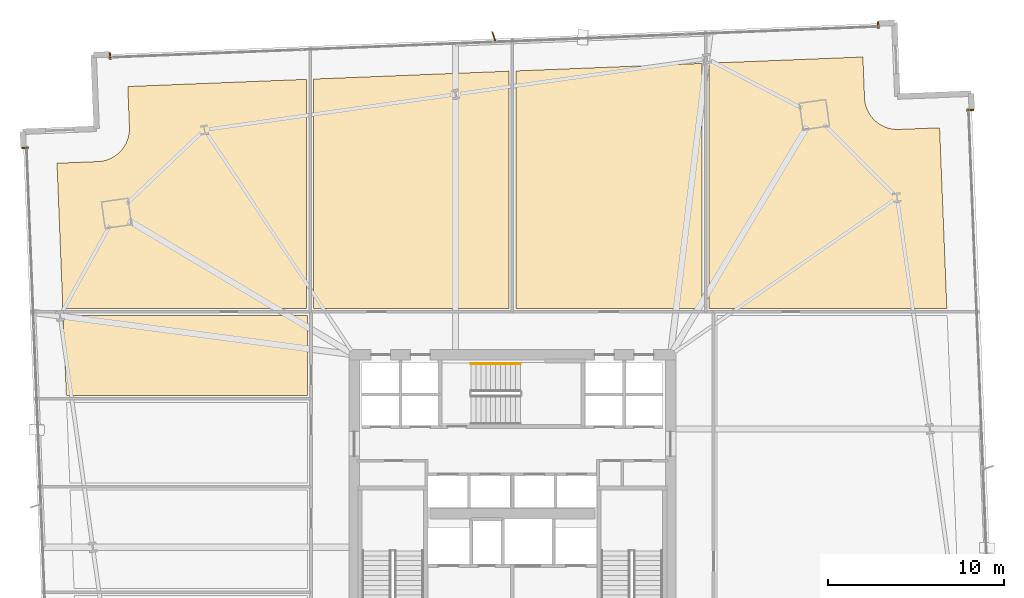
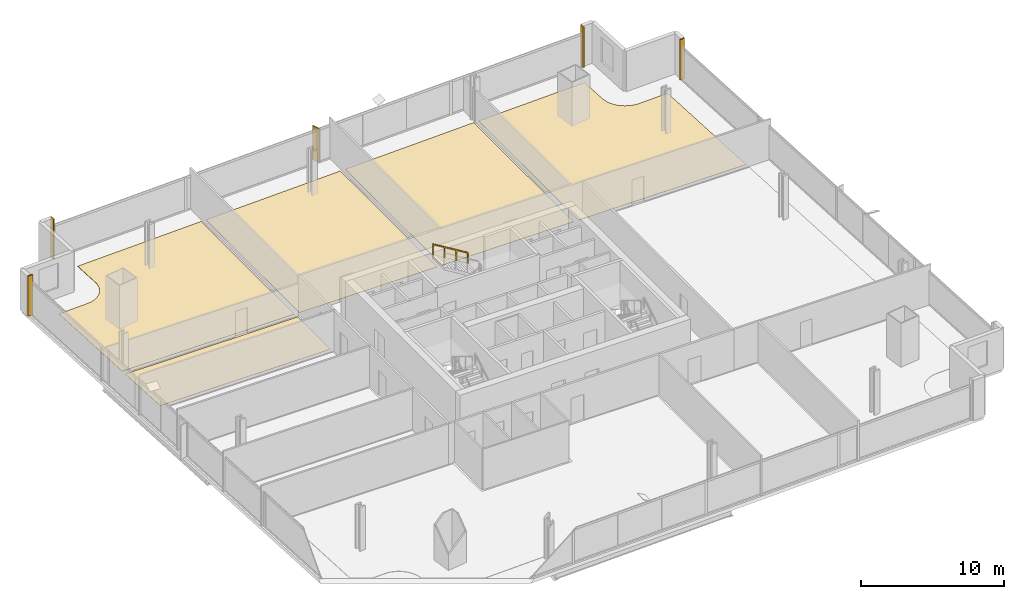
# One storey, part 32 of 32: 9 coverings, 1 railing, 1 shading device.
"""IFC4 building model written with IfcOpenShell, lengths in metres."""

import ifcopenshell
import ifcopenshell.guid

model = None  # the IFC model being written
_history = None  # IfcOwnerHistory: only IFC2X3 demands one
_inside = {}  # id of a spatial element -> (the spatial element, [elements in it])
_under = {}  # id of a project, library or spatial element -> (it, [spatial elements below it])
_declared = {}  # id of a project -> (the project, [libraries it declares])
_typed = {}  # id of a type object -> (the type object, [elements of that type])
_made_of = {}  # id of a material, layer set ... -> (it, [elements and type objects made of it])


def new_model(schema):
    """Start an empty IFC model of exactly this schema.

    Asked for "IFC4X3", IfcOpenShell would pick the latest addendum, in which some entities
    have other attributes; the version numbers below select the first issue.
    IFC2X3 requires an IfcOwnerHistory on every rooted entity: one is made here for all.
    """
    global model, _history
    if schema == "IFC4X3":
        model = ifcopenshell.file(schema_version=(4, 3, 0, 0))
    else:
        model = ifcopenshell.file(schema=schema)
    _inside.clear()
    _under.clear()
    _declared.clear()
    _typed.clear()
    _made_of.clear()
    _history = None
    if model.schema == "IFC2X3":
        org = make("IfcOrganization", Name="unknown")
        user = make(
            "IfcPersonAndOrganization",
            ThePerson=make("IfcPerson", FamilyName="unknown"),
            TheOrganization=org,
        )
        app = make(
            "IfcApplication",
            ApplicationDeveloper=org,
            Version="unknown",
            ApplicationFullName="unknown",
            ApplicationIdentifier="unknown",
        )
        _history = make(
            "IfcOwnerHistory",
            OwningUser=user,
            OwningApplication=app,
            ChangeAction="ADDED",
            CreationDate=0,
        )
    return model


def make(cls, **values):
    """One entity of the class cls with the attributes given. An attribute that is None is left unset."""
    return model.create_entity(
        cls, **{name: value for name, value in values.items() if value is not None}
    )


def rooted(cls, **values):
    """An entity with a GlobalId (a new one), such as an element, a storey or a relation."""
    return make(cls, GlobalId=ifcopenshell.guid.new(), OwnerHistory=_history, **values)


def si_unit(unit_type, name, prefix=None):
    """IfcSIUnit, for example si_unit("LENGTHUNIT", "METRE", prefix="MILLI")."""
    return make("IfcSIUnit", UnitType=unit_type, Prefix=prefix, Name=name)


def assignment(units):
    """IfcUnitAssignment: the units of a project."""
    return None if units is None else make("IfcUnitAssignment", Units=units)


def point(xyz):
    """IfcCartesianPoint."""
    return None if xyz is None else make("IfcCartesianPoint", Coordinates=xyz)


def direction(xyz):
    """IfcDirection."""
    return None if xyz is None else make("IfcDirection", DirectionRatios=xyz)


def frame(location, z_axis=None, x_axis=None):
    """IfcAxis2Placement3D, a coordinate frame: its origin and axes. An axis left out is left unset."""
    return make(
        "IfcAxis2Placement3D",
        Location=point(location),
        Axis=direction(z_axis),
        RefDirection=direction(x_axis),
    )


def frame_2d(location, x_axis=None):
    """IfcAxis2Placement2D, a coordinate frame in the plane: its origin and x axis."""
    return make(
        "IfcAxis2Placement2D", Location=point(location), RefDirection=direction(x_axis)
    )


def origin():
    """The frame at (0, 0, 0) with its axes left unset."""
    return frame((0.0, 0.0, 0.0))


def origin_2d():
    """The frame at (0, 0) in the plane with its x axis left unset."""
    return frame_2d((0.0, 0.0))


def place(relative_to, where):
    """IfcLocalPlacement: puts the frame where relative to a parent placement (None: the world)."""
    return make(
        "IfcLocalPlacement", PlacementRelTo=relative_to, RelativePlacement=where
    )


def context(
    kind, dimensions, precision=None, world=None, true_north=None, identifier=None
):
    """IfcGeometricRepresentationContext, for example the 3D "Model" context."""
    return make(
        "IfcGeometricRepresentationContext",
        ContextIdentifier=identifier,
        ContextType=kind,
        CoordinateSpaceDimension=dimensions,
        Precision=precision,
        WorldCoordinateSystem=world,
        TrueNorth=true_north,
    )


def subcontext(parent, identifier, kind, view, scale=None):
    """IfcGeometricRepresentationSubContext, for example "Body" below "Model"."""
    return make(
        "IfcGeometricRepresentationSubContext",
        ContextIdentifier=identifier,
        ContextType=kind,
        ParentContext=parent,
        TargetScale=scale,
        TargetView=view,
    )


def project(units=None, contexts=None):
    """IfcProject with its units and contexts."""
    return rooted(
        "IfcProject",
        Name="project",
        RepresentationContexts=contexts,
        UnitsInContext=assignment(units),
    )


def spatial(cls, under=None, at=None, **own):
    """A site, building, storey or space (cls), placed at a placement, below another one or the project."""
    s = rooted(cls, ObjectPlacement=at, **own)
    if under is not None:
        _under.setdefault(under.id(), (under, []))[1].append(s)
    return s


def polyline(points):
    """IfcPolyline through the points."""
    return make("IfcPolyline", Points=[point(p) for p in points])


def profile(cls, at=None, kind="AREA", **sizes):
    """A parametric profile (cls). Its sizes go by their IFC names, for example OverallWidth=200.0."""
    return make(cls, ProfileType=kind, Position=at, **sizes)


def rectangle(**sizes):
    """IfcRectangleProfileDef."""
    return profile("IfcRectangleProfileDef", **sizes)


def outline(outer, holes=None, kind="AREA"):
    """IfcArbitraryClosedProfileDef: a profile drawn as a closed curve; with holes, ...WithVoids."""
    if holes is None:
        return make("IfcArbitraryClosedProfileDef", ProfileType=kind, OuterCurve=outer)
    return make(
        "IfcArbitraryProfileDefWithVoids",
        ProfileType=kind,
        OuterCurve=outer,
        InnerCurves=holes,
    )


def extrude(swept, where, along, depth):
    """IfcExtrudedAreaSolid: the profile swept, set in the frame where, extruded along a direction by depth."""
    return make(
        "IfcExtrudedAreaSolid",
        SweptArea=swept,
        Position=where,
        ExtrudedDirection=direction(along),
        Depth=depth,
    )


def shape(context_of_items, identifier, shape_type, items):
    """IfcShapeRepresentation: the items that make up one representation, for example the "Body"."""
    return make(
        "IfcShapeRepresentation",
        ContextOfItems=context_of_items,
        RepresentationIdentifier=identifier,
        RepresentationType=shape_type,
        Items=items,
    )


def source(mapping_origin, context_of_items, identifier, shape_type, items):
    """IfcRepresentationMap: a shape defined once, which mapped items show again and again."""
    return make(
        "IfcRepresentationMap",
        MappingOrigin=mapping_origin,
        MappedRepresentation=shape(context_of_items, identifier, shape_type, items),
    )


def transform(
    local_origin,
    x_axis=None,
    y_axis=None,
    z_axis=None,
    scale=None,
    scale2=None,
    scale3=None,
    uniform=True,
):
    """IfcCartesianTransformationOperator3D, or its non-uniform kind. x_axis, y_axis, z_axis: its Axis1, 2, 3."""
    if uniform:
        return make(
            "IfcCartesianTransformationOperator3D",
            Axis1=direction(x_axis),
            Axis2=direction(y_axis),
            LocalOrigin=point(local_origin),
            Scale=scale,
            Axis3=direction(z_axis),
        )
    return make(
        "IfcCartesianTransformationOperator3DnonUniform",
        Axis1=direction(x_axis),
        Axis2=direction(y_axis),
        LocalOrigin=point(local_origin),
        Scale=scale,
        Axis3=direction(z_axis),
        Scale2=scale2,
        Scale3=scale3,
    )


def mapped(mapping_source, mapping_target):
    """IfcMappedItem: shows the shape of a source again, moved by a transform."""
    return make(
        "IfcMappedItem", MappingSource=mapping_source, MappingTarget=mapping_target
    )


def material(Name=None, Category=None):
    """IfcMaterial."""
    return make("IfcMaterial", Name=Name, Category=Category)


def layer(
    of_material, thickness, ventilated=None, Name=None, Category=None, Priority=None
):
    """IfcMaterialLayer: one layer of a wall or slab, of a material (None: an air gap)."""
    return make(
        "IfcMaterialLayer",
        Material=of_material,
        LayerThickness=thickness,
        IsVentilated=ventilated,
        Name=Name,
        Category=Category,
        Priority=Priority,
    )


def layer_set(layers, Name=None):
    """IfcMaterialLayerSet."""
    return make("IfcMaterialLayerSet", MaterialLayers=layers, LayerSetName=Name)


def made_of(thing, what):
    """Note that an element or type object is made of a material, layer set ...; save() writes the relation."""
    if what is not None:
        _made_of.setdefault(what.id(), (what, []))[1].append(thing)
    return thing


def type_object(cls, material=None, **own):
    """A type object (cls), such as IfcWallType, which elements share."""
    return made_of(rooted(cls, **own), material)


def element(
    cls,
    number,
    at=None,
    inside=None,
    cuts=None,
    type_object=None,
    material=None,
    context=None,
    identifier="Body",
    shape_type=None,
    held_by="IfcProductDefinitionShape",
    body=None,
    shapes=None,
    **own,
):
    """One element of the class cls, such as IfcWall. Its Tag is "e" and its number.

    at: its placement. inside: the storey or other place that contains it. cuts: it is an
    opening in that element (IfcRelVoidsElement). A single representation is given by context,
    identifier, shape_type and body (its items); several are given by shapes. held_by: the class
    of the entity that holds the representations. save() writes the other relations.
    """
    e = rooted(cls, Tag="e%d" % number, ObjectPlacement=at, **own)
    if body is not None:
        shapes = [shape(context, identifier, shape_type, body)]
    if shapes is not None:
        e.Representation = make(held_by, Representations=shapes)
    if inside is not None:
        _inside.setdefault(inside.id(), (inside, []))[1].append(e)
    if cuts is not None:
        rooted(
            "IfcRelVoidsElement", RelatingBuildingElement=cuts, RelatedOpeningElement=e
        )
    if type_object is not None:
        _typed.setdefault(type_object.id(), (type_object, []))[1].append(e)
    return made_of(e, material)


def aggregate(whole, parts):
    """IfcRelAggregates: a whole, such as a stair, and the parts it consists of."""
    return rooted("IfcRelAggregates", RelatingObject=whole, RelatedObjects=parts)


def save(model, path):
    """Write the relations noted so far, then the file.

    IfcRelAggregates (storeys below a building ...), IfcRelContainedInSpatialStructure (elements
    in a storey), IfcRelDefinesByType, IfcRelAssociatesMaterial and IfcRelDeclares: one each for
    every whole, place, type object, material and project.
    """
    for whole, parts in _under.values():
        aggregate(whole, parts)
    for where, things in _inside.values():
        rooted(
            "IfcRelContainedInSpatialStructure",
            RelatedElements=things,
            RelatingStructure=where,
        )
    for kind, things in _typed.values():
        rooted("IfcRelDefinesByType", RelatedObjects=things, RelatingType=kind)
    for what, things in _made_of.values():
        rooted("IfcRelAssociatesMaterial", RelatedObjects=things, RelatingMaterial=what)
    for by, libraries in _declared.values():
        rooted("IfcRelDeclares", RelatingContext=by, RelatedDefinitions=libraries)
    model.write(path)


model = new_model("IFC4")

# Units and contexts
model_context = context("Model", 3, precision=1e-05, world=origin(), true_north=direction((0.0, 1.0)))
body_context = subcontext(model_context, "Body", "Model", "MODEL_VIEW")
ifc_project = project(units=[si_unit("LENGTHUNIT", "METRE"), si_unit("AREAUNIT", "SQUARE_METRE"), si_unit("VOLUMEUNIT", "CUBIC_METRE"), si_unit("PLANEANGLEUNIT", "RADIAN"), si_unit("MASSUNIT", "GRAM", prefix="KILO")], contexts=[model_context])

# Site, building, storey
site_placement = place(None, origin())
site = spatial("IfcSite", under=ifc_project, at=site_placement, CompositionType="ELEMENT")
building_placement = place(site_placement, origin())
building = spatial("IfcBuilding", under=site, at=building_placement, Name="Haldenkirk Collegiate Tower", CompositionType="ELEMENT")
storey_placement = place(building_placement, frame((0.0, 0.0, 36.449951171875)))
storey = spatial("IfcBuildingStorey", under=building, at=storey_placement, Name="L07", CompositionType="ELEMENT", Elevation=36.449951171875)

# Coverings
ifc_material_1 = material(Name="Polished collegiate terrazzo", Category="concrete")
ifc_layer_1 = layer(ifc_material_1, 0.02490234375)
ifc_layer_set_1 = layer_set([ifc_layer_1], Name="Polished collegiate terrazzo")
covering_type_1 = type_object("IfcCoveringType", Name="COV-FLOOR-TERRAZZO", PredefinedType="FLOORING", material=ifc_layer_set_1)
covering_1_placement = place(storey_placement, origin())
element("IfcCovering", 1, at=covering_1_placement, inside=storey, type_object=covering_type_1, Name="L07 academic room finish 04", PredefinedType="FLOORING", context=body_context, shape_type="SweptSolid", body=[
    extrude(outline(polyline([(12.41845703125, 44.998779296875), (12.42431640625, 44.999267578125), (12.595458984375, 45.0146484375), (12.607177734375, 45.01611328125), (12.77587890625, 45.048095703125), (12.787353515625, 45.051025390625), (12.9521484375, 45.099365234375), (12.963134765625, 45.103271484375), (13.122314453125, 45.16748046875), (13.133056640625, 45.172607421875), (13.285400390625, 45.252197265625), (13.29541015625, 45.258056640625), (13.439208984375, 45.35205078125), (13.44873046875, 45.359130859375), (13.58251953125, 45.466796875), (13.59130859375, 45.474609375), (13.713623046875, 45.594970703125), (13.7216796875, 45.603759765625), (13.831787109375, 45.735595703125), (13.8388671875, 45.744873046875), (13.935546875, 45.88671875), (13.941650390625, 45.896728515625), (14.02392578125, 46.047607421875), (14.029052734375, 46.05810546875), (14.09619140625, 46.216064453125), (14.100341796875, 46.227294921875), (14.151611328125, 46.39111328125), (14.15478515625, 46.402587890625), (14.189697265625, 46.57080078125), (14.19140625, 46.582275390625), (14.2099609375, 46.7529296875), (14.210693359375, 46.764892578125), (14.212158203125, 46.936767578125), (14.2119140625, 46.9423828125), (14.118408203125, 49.2705078125), (24.300048828125, 49.679443359375), (24.300048828125, 36.64990234375), (10.422119140625, 36.64990234375), (10.09033203125, 44.905517578125), (12.41845703125, 44.998779296875)])), origin(), (0.0, 0.0, 1.0), 0.025146484375),
])
covering_2_placement = place(storey_placement, origin())
element("IfcCovering", 2, at=covering_2_placement, inside=storey, type_object=covering_type_1, Name="L07 academic room finish 06", PredefinedType="FLOORING", context=body_context, shape_type="SweptSolid", body=[
    extrude(outline(polyline([(46.800048828125, 50.583251953125), (46.800048828125, 36.64990234375), (36.199951171875, 36.64990234375), (36.199951171875, 50.157470703125), (46.800048828125, 50.583251953125)])), origin(), (0.0, 0.0, 1.0), 0.025146484375),
])
ifc_material_2 = material(Name="Engineered collegiate oak acoustic flooring", Category="wood")
ifc_layer_2 = layer(ifc_material_2, 0.02197265625)
ifc_layer_set_2 = layer_set([ifc_layer_2], Name="Engineered collegiate oak acoustic flooring")
covering_type_2 = type_object("IfcCoveringType", Name="COV-FLOOR-TIMBER", PredefinedType="FLOORING", material=ifc_layer_set_2)
covering_3_placement = place(storey_placement, origin())
element("IfcCovering", 3, at=covering_3_placement, inside=storey, type_object=covering_type_2, Name="L07 academic room finish 05", PredefinedType="FLOORING", context=body_context, shape_type="SweptSolid", body=[
    extrude(outline(polyline([(35.800048828125, 50.141357421875), (35.800048828125, 36.64990234375), (24.699951171875, 36.64990234375), (24.699951171875, 49.695556640625), (35.800048828125, 50.141357421875)])), origin(), (0.0, 0.0, 1.0), 0.02197265625),
])
covering_4_placement = place(storey_placement, origin())
element("IfcCovering", 4, at=covering_4_placement, inside=storey, type_object=covering_type_2, Name="L07 academic room finish 07", PredefinedType="FLOORING", context=body_context, shape_type="SweptSolid", body=[
    extrude(outline(polyline([(55.94482421875, 50.95068359375), (56.038330078125, 48.622314453125), (56.038818359375, 48.616455078125), (56.053955078125, 48.4453125), (56.0556640625, 48.43359375), (56.087646484375, 48.264892578125), (56.09033203125, 48.253662109375), (56.138916015625, 48.0888671875), (56.142578125, 48.07763671875), (56.206787109375, 47.91845703125), (56.2119140625, 47.90771484375), (56.29150390625, 47.755615234375), (56.29736328125, 47.74560546875), (56.3916015625, 47.601806640625), (56.3984375, 47.59228515625), (56.50634765625, 47.45849609375), (56.51416015625, 47.44970703125), (56.634521484375, 47.3271484375), (56.64306640625, 47.319091796875), (56.77490234375, 47.208984375), (56.7841796875, 47.201904296875), (56.926025390625, 47.105224609375), (56.936279296875, 47.09912109375), (57.0869140625, 47.016845703125), (57.097412109375, 47.01171875), (57.255615234375, 46.944580078125), (57.2666015625, 46.9404296875), (57.4306640625, 46.88916015625), (57.44189453125, 46.88623046875), (57.610107421875, 46.851318359375), (57.62158203125, 46.849365234375), (57.79248046875, 46.8310546875), (57.80419921875, 46.830322265625), (57.97607421875, 46.828857421875), (57.98193359375, 46.828857421875), (60.309814453125, 46.922607421875), (60.722412109375, 36.64990234375), (47.199951171875, 36.64990234375), (47.199951171875, 50.599365234375), (55.94482421875, 50.95068359375)])), origin(), (0.0, 0.0, 1.0), 0.02197265625),
])
covering_5_placement = place(storey_placement, origin())
element("IfcCovering", 5, at=covering_5_placement, inside=storey, type_object=covering_type_2, Name="L07 academic room finish 11", PredefinedType="FLOORING", context=body_context, shape_type="SweptSolid", body=[
    extrude(outline(polyline([(10.43798828125, 36.25), (24.35009765625, 36.25), (24.35009765625, 31.699951171875), (10.620849609375, 31.699951171875), (10.43798828125, 36.25)])), origin(), (0.0, 0.0, 1.0), 0.02197265625),
])

# Railing
ifc_material_3 = material(Name="Painted architectural tubular steel", Category="steel")
railing_type = type_object("IfcRailingType", Name="RLG-STAIR-HANDRAIL-900", PredefinedType="HANDRAIL", material=ifc_material_3)
railing_placement = place(storey_placement, frame((36.449951171875, 33.5, 2.04541015625)))
element("IfcRailing", 6, at=railing_placement, inside=storey, type_object=railing_type, Name="L07 ST-3 stair handrail 2", PredefinedType="HANDRAIL", context=body_context, shape_type="SweptSolid", body=[
    extrude(rectangle(XDim=0.048095703125, YDim=0.048095703125, at=origin_2d()), frame((0.0, 0.0, 0.8759765625), z_axis=(-0.854169791009, 0.0, 0.51999420009), x_axis=(0.0, -1.0, 0.0)), (0.0, 0.0, 1.0), 3.278076171875),
    extrude(rectangle(XDim=0.0419921875, YDim=0.0419921875, at=origin_2d()), origin(), (0.0, 0.0, 1.0), 0.851806640625),
    extrude(rectangle(XDim=0.0419921875, YDim=0.0419921875, at=origin_2d()), frame((-0.933349609375, 0.0, 0.568115234375)), (0.0, 0.0, 1.0), 0.851806640625),
    extrude(rectangle(XDim=0.0419921875, YDim=0.0419921875, at=origin_2d()), frame((-1.86669921875, 0.0, 1.136474609375)), (0.0, 0.0, 1.0), 0.851806640625),
    extrude(rectangle(XDim=0.0419921875, YDim=0.0419921875, at=origin_2d()), frame((-2.800048828125, 0.0, 1.70458984375)), (0.0, 0.0, 1.0), 0.851806640625),
])

# Coverings
ifc_material_4 = material(Name="Anodised architectural bronze aluminium", Category="aluminium")
ifc_layer_3 = layer(ifc_material_4, 0.06005859375)
ifc_layer_set_3 = layer_set([ifc_layer_3], Name="Anodised architectural bronze aluminium")
covering_type_3 = type_object("IfcCoveringType", Name="COV-CLAD-BRONZE-60", PredefinedType="CLADDING", material=ifc_layer_set_3)
shared_shape_1 = source(origin(), body_context, "Body", "SweptSolid", [
    extrude(rectangle(XDim=0.10009765625, YDim=0.3798828125, at=origin_2d()), origin(), (0.0, 0.0, 1.0), 3.43994140625),
])
for number, where, z_axis, x_axis, name in (
    (7, (62.05078125, 47.93310546875, 0.0), (0.0, 0.0, 1.0), (0.040131792533, -0.999194395114, 0.0), "L07 recessed curtain-wall bronze jamb closure EJL"),
    (8, (13.10791015625, 51.011474609375, 0.0), (0.0, 0.0, 1.0), (0.999194395114, 0.040131792533, 0.0), "L07 recessed curtain-wall bronze jamb closure NJL"),
    (9, (56.8125, 52.766845703125, 0.0), (0.0, 0.0, 1.0), (0.999194395114, 0.040131792533, 0.0), "L07 recessed curtain-wall bronze jamb closure NJR"),
    (10, (8.274169921875, 45.773193359375, 0.0), (0.0, 0.0, 1.0), (-0.040131792533, 0.999194395114, 0.0), "L07 recessed curtain-wall bronze jamb closure WJR"),
):
    element("IfcCovering", number, at=place(storey_placement, frame(where, z_axis=z_axis, x_axis=x_axis)), inside=storey, type_object=covering_type_3, Name=name, PredefinedType="CLADDING", context=body_context, shape_type="MappedRepresentation", body=[
        mapped(shared_shape_1, transform((0.0, 0.0, 0.0), x_axis=(1.0, 0.0, 0.0), y_axis=(0.0, 1.0, 0.0), z_axis=(0.0, 0.0, 1.0), scale=1.0)),
    ])

# Shading device
ifc_layer_4 = layer(ifc_material_4, 0.06494140625)
ifc_layer_set_4 = layer_set([ifc_layer_4], Name="Anodised architectural bronze aluminium")
shading_device_type = type_object("IfcShadingDeviceType", Name="SHD-FIN-BRONZE-620", PredefinedType="USERDEFINED", material=ifc_layer_set_4)
shared_shape_2 = source(origin(), body_context, "Body", "SweptSolid", [
    extrude(rectangle(XDim=0.6201171875, YDim=0.06494140625, at=origin_2d()), origin(), (0.0, 0.0, 1.0), 2.89111328125),
])
shading_device_placement = place(storey_placement, frame((34.951904296875, 52.093994140625, 0.0), z_axis=(0.0, 0.0, 1.0), x_axis=(-0.313992455967, 0.949425477642, 0.0)))
element("IfcShadingDevice", 11, at=shading_device_placement, inside=storey, type_object=shading_device_type, Name="L07 folded bronze solar fin 1", ObjectType="FIN", PredefinedType="USERDEFINED", context=body_context, shape_type="MappedRepresentation", body=[
    mapped(shared_shape_2, transform((0.0, 0.0, 0.0), x_axis=(1.0, 0.0, 0.0), y_axis=(0.0, 1.0, 0.0), z_axis=(0.0, 0.0, 1.0), scale=1.0)),
])

save(model, "model.ifc")
